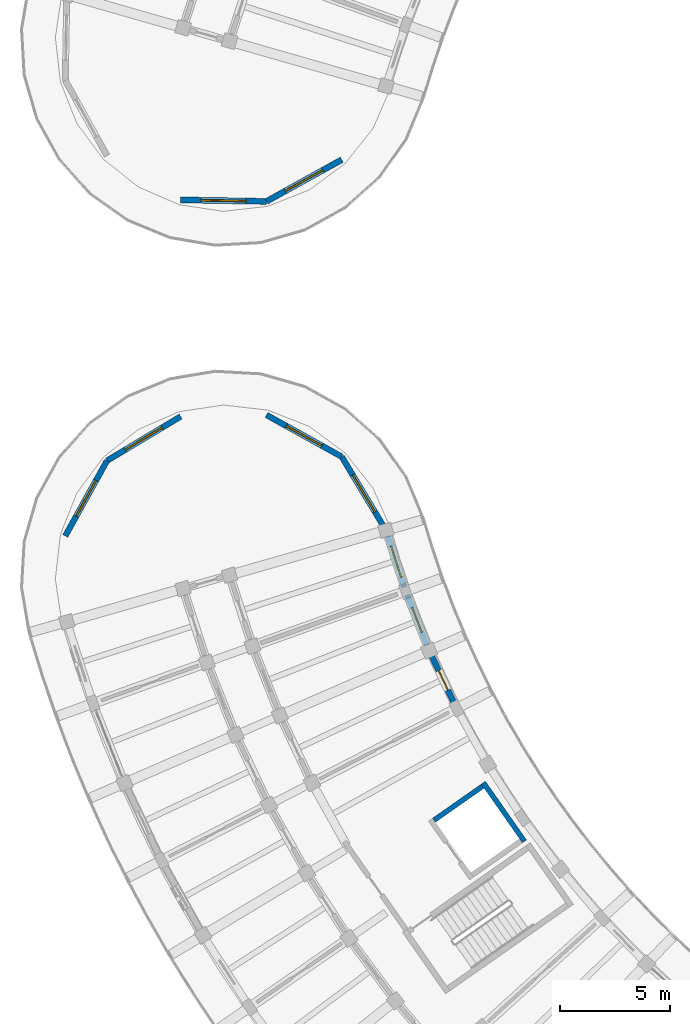
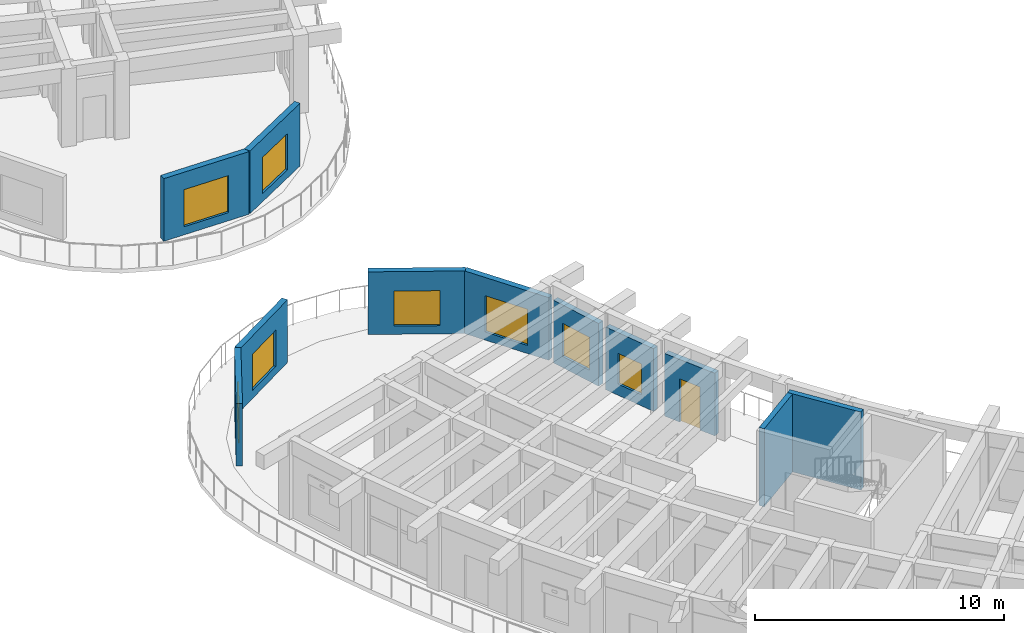
# One storey, part 84 of 128: 11 walls, 8 windows, 1 door, 9 openings.
"""IFC4 building model written with IfcOpenShell, lengths in metres."""

import ifcopenshell
import ifcopenshell.guid

model = None  # the IFC model being written
_history = None  # IfcOwnerHistory: only IFC2X3 demands one
_inside = {}  # id of a spatial element -> (the spatial element, [elements in it])
_under = {}  # id of a project, library or spatial element -> (it, [spatial elements below it])
_declared = {}  # id of a project -> (the project, [libraries it declares])
_typed = {}  # id of a type object -> (the type object, [elements of that type])
_made_of = {}  # id of a material, layer set ... -> (it, [elements and type objects made of it])


def new_model(schema):
    """Start an empty IFC model of exactly this schema.

    Asked for "IFC4X3", IfcOpenShell would pick the latest addendum, in which some entities
    have other attributes; the version numbers below select the first issue.
    IFC2X3 requires an IfcOwnerHistory on every rooted entity: one is made here for all.
    """
    global model, _history
    if schema == "IFC4X3":
        model = ifcopenshell.file(schema_version=(4, 3, 0, 0))
    else:
        model = ifcopenshell.file(schema=schema)
    _inside.clear()
    _under.clear()
    _declared.clear()
    _typed.clear()
    _made_of.clear()
    _history = None
    if model.schema == "IFC2X3":
        org = make("IfcOrganization", Name="unknown")
        user = make(
            "IfcPersonAndOrganization",
            ThePerson=make("IfcPerson", FamilyName="unknown"),
            TheOrganization=org,
        )
        app = make(
            "IfcApplication",
            ApplicationDeveloper=org,
            Version="unknown",
            ApplicationFullName="unknown",
            ApplicationIdentifier="unknown",
        )
        _history = make(
            "IfcOwnerHistory",
            OwningUser=user,
            OwningApplication=app,
            ChangeAction="ADDED",
            CreationDate=0,
        )
    return model


def make(cls, **values):
    """One entity of the class cls with the attributes given. An attribute that is None is left unset."""
    return model.create_entity(
        cls, **{name: value for name, value in values.items() if value is not None}
    )


def rooted(cls, **values):
    """An entity with a GlobalId (a new one), such as an element, a storey or a relation."""
    return make(cls, GlobalId=ifcopenshell.guid.new(), OwnerHistory=_history, **values)


def si_unit(unit_type, name, prefix=None):
    """IfcSIUnit, for example si_unit("LENGTHUNIT", "METRE", prefix="MILLI")."""
    return make("IfcSIUnit", UnitType=unit_type, Prefix=prefix, Name=name)


def assignment(units):
    """IfcUnitAssignment: the units of a project."""
    return None if units is None else make("IfcUnitAssignment", Units=units)


def point(xyz):
    """IfcCartesianPoint."""
    return None if xyz is None else make("IfcCartesianPoint", Coordinates=xyz)


def direction(xyz):
    """IfcDirection."""
    return None if xyz is None else make("IfcDirection", DirectionRatios=xyz)


def frame(location, z_axis=None, x_axis=None):
    """IfcAxis2Placement3D, a coordinate frame: its origin and axes. An axis left out is left unset."""
    return make(
        "IfcAxis2Placement3D",
        Location=point(location),
        Axis=direction(z_axis),
        RefDirection=direction(x_axis),
    )


def frame_2d(location, x_axis=None):
    """IfcAxis2Placement2D, a coordinate frame in the plane: its origin and x axis."""
    return make(
        "IfcAxis2Placement2D", Location=point(location), RefDirection=direction(x_axis)
    )


def origin():
    """The frame at (0, 0, 0) with its axes left unset."""
    return frame((0.0, 0.0, 0.0))


def place(relative_to, where):
    """IfcLocalPlacement: puts the frame where relative to a parent placement (None: the world)."""
    return make(
        "IfcLocalPlacement", PlacementRelTo=relative_to, RelativePlacement=where
    )


def context(
    kind, dimensions, precision=None, world=None, true_north=None, identifier=None
):
    """IfcGeometricRepresentationContext, for example the 3D "Model" context."""
    return make(
        "IfcGeometricRepresentationContext",
        ContextIdentifier=identifier,
        ContextType=kind,
        CoordinateSpaceDimension=dimensions,
        Precision=precision,
        WorldCoordinateSystem=world,
        TrueNorth=true_north,
    )


def subcontext(parent, identifier, kind, view, scale=None):
    """IfcGeometricRepresentationSubContext, for example "Body" below "Model"."""
    return make(
        "IfcGeometricRepresentationSubContext",
        ContextIdentifier=identifier,
        ContextType=kind,
        ParentContext=parent,
        TargetScale=scale,
        TargetView=view,
    )


def project(units=None, contexts=None):
    """IfcProject with its units and contexts."""
    return rooted(
        "IfcProject",
        Name="project",
        RepresentationContexts=contexts,
        UnitsInContext=assignment(units),
    )


def spatial(cls, under=None, at=None, **own):
    """A site, building, storey or space (cls), placed at a placement, below another one or the project."""
    s = rooted(cls, ObjectPlacement=at, **own)
    if under is not None:
        _under.setdefault(under.id(), (under, []))[1].append(s)
    return s


def profile(cls, at=None, kind="AREA", **sizes):
    """A parametric profile (cls). Its sizes go by their IFC names, for example OverallWidth=200.0."""
    return make(cls, ProfileType=kind, Position=at, **sizes)


def rectangle(**sizes):
    """IfcRectangleProfileDef."""
    return profile("IfcRectangleProfileDef", **sizes)


def extrude(swept, where, along, depth):
    """IfcExtrudedAreaSolid: the profile swept, set in the frame where, extruded along a direction by depth."""
    return make(
        "IfcExtrudedAreaSolid",
        SweptArea=swept,
        Position=where,
        ExtrudedDirection=direction(along),
        Depth=depth,
    )


def shape(context_of_items, identifier, shape_type, items):
    """IfcShapeRepresentation: the items that make up one representation, for example the "Body"."""
    return make(
        "IfcShapeRepresentation",
        ContextOfItems=context_of_items,
        RepresentationIdentifier=identifier,
        RepresentationType=shape_type,
        Items=items,
    )


def material(Name=None, Category=None):
    """IfcMaterial."""
    return make("IfcMaterial", Name=Name, Category=Category)


def layer(
    of_material, thickness, ventilated=None, Name=None, Category=None, Priority=None
):
    """IfcMaterialLayer: one layer of a wall or slab, of a material (None: an air gap)."""
    return make(
        "IfcMaterialLayer",
        Material=of_material,
        LayerThickness=thickness,
        IsVentilated=ventilated,
        Name=Name,
        Category=Category,
        Priority=Priority,
    )


def layer_set(layers, Name=None):
    """IfcMaterialLayerSet."""
    return make("IfcMaterialLayerSet", MaterialLayers=layers, LayerSetName=Name)


def made_of(thing, what):
    """Note that an element or type object is made of a material, layer set ...; save() writes the relation."""
    if what is not None:
        _made_of.setdefault(what.id(), (what, []))[1].append(thing)
    return thing


def type_object(cls, material=None, **own):
    """A type object (cls), such as IfcWallType, which elements share."""
    return made_of(rooted(cls, **own), material)


def element(
    cls,
    number,
    at=None,
    inside=None,
    cuts=None,
    type_object=None,
    material=None,
    context=None,
    identifier="Body",
    shape_type=None,
    held_by="IfcProductDefinitionShape",
    body=None,
    shapes=None,
    **own,
):
    """One element of the class cls, such as IfcWall. Its Tag is "e" and its number.

    at: its placement. inside: the storey or other place that contains it. cuts: it is an
    opening in that element (IfcRelVoidsElement). A single representation is given by context,
    identifier, shape_type and body (its items); several are given by shapes. held_by: the class
    of the entity that holds the representations. save() writes the other relations.
    """
    e = rooted(cls, Tag="e%d" % number, ObjectPlacement=at, **own)
    if body is not None:
        shapes = [shape(context, identifier, shape_type, body)]
    if shapes is not None:
        e.Representation = make(held_by, Representations=shapes)
    if inside is not None:
        _inside.setdefault(inside.id(), (inside, []))[1].append(e)
    if cuts is not None:
        rooted(
            "IfcRelVoidsElement", RelatingBuildingElement=cuts, RelatedOpeningElement=e
        )
    if type_object is not None:
        _typed.setdefault(type_object.id(), (type_object, []))[1].append(e)
    return made_of(e, material)


def fill(opening, filler):
    """IfcRelFillsElement: the door or window that sits in an opening."""
    return rooted(
        "IfcRelFillsElement",
        RelatingOpeningElement=opening,
        RelatedBuildingElement=filler,
    )


def aggregate(whole, parts):
    """IfcRelAggregates: a whole, such as a stair, and the parts it consists of."""
    return rooted("IfcRelAggregates", RelatingObject=whole, RelatedObjects=parts)


def save(model, path):
    """Write the relations noted so far, then the file.

    IfcRelAggregates (storeys below a building ...), IfcRelContainedInSpatialStructure (elements
    in a storey), IfcRelDefinesByType, IfcRelAssociatesMaterial and IfcRelDeclares: one each for
    every whole, place, type object, material and project.
    """
    for whole, parts in _under.values():
        aggregate(whole, parts)
    for where, things in _inside.values():
        rooted(
            "IfcRelContainedInSpatialStructure",
            RelatedElements=things,
            RelatingStructure=where,
        )
    for kind, things in _typed.values():
        rooted("IfcRelDefinesByType", RelatedObjects=things, RelatingType=kind)
    for what, things in _made_of.values():
        rooted("IfcRelAssociatesMaterial", RelatedObjects=things, RelatingMaterial=what)
    for by, libraries in _declared.values():
        rooted("IfcRelDeclares", RelatingContext=by, RelatedDefinitions=libraries)
    model.write(path)


model = new_model("IFC4")

# Units and contexts
model_context = context("Model", 3, precision=1e-05, world=origin(), true_north=direction((0.0, 1.0)))
body_context = subcontext(model_context, "Body", "Model", "MODEL_VIEW")
ifc_project = project(units=[si_unit("LENGTHUNIT", "METRE"), si_unit("AREAUNIT", "SQUARE_METRE"), si_unit("VOLUMEUNIT", "CUBIC_METRE"), si_unit("PLANEANGLEUNIT", "RADIAN"), si_unit("MASSUNIT", "GRAM", prefix="KILO")], contexts=[model_context])

# Site, building, storey
site_placement = place(None, origin())
site = spatial("IfcSite", under=ifc_project, at=site_placement, CompositionType="ELEMENT")
building_placement = place(site_placement, origin())
building = spatial("IfcBuilding", under=site, at=building_placement, Name="Tanwirah Colonnade Gardens", CompositionType="ELEMENT")
storey_placement = place(building_placement, frame((0.0, 0.0, 4.760009765625)))
storey = spatial("IfcBuildingStorey", under=building, at=storey_placement, Name="L01", CompositionType="ELEMENT", Elevation=4.760009765625)

# Wall, opening, window
ifc_material_1 = material(Name="Limestone architectural precast concrete C40/50", Category="masonry")
ifc_layer_1 = layer(ifc_material_1, 0.260009765625)
ifc_layer_set_1 = layer_set([ifc_layer_1], Name="Limestone architectural precast concrete C40/50")
wall_type_1 = type_object("IfcWallType", Name="EW-PC260", PredefinedType="SOLIDWALL", material=ifc_layer_set_1)
wall_1_placement = place(storey_placement, frame((22.3564453125, 51.986083984375, 0.0), z_axis=(0.0, 0.0, 1.0), x_axis=(0.306909552229, -0.951738686169, 0.0)))
wall_1 = element("IfcWall", 1, at=wall_1_placement, inside=storey, type_object=wall_type_1, Name="Block C L01 IN Precast Facade Wall 0", PredefinedType="SOLIDWALL", context=body_context, shape_type="SweptSolid", body=[
    extrude(rectangle(XDim=2.448486328125, YDim=0.260009765625, at=frame_2d((1.22412109375, 0.0))), origin(), (0.0, 0.0, 1.0), 3.074951171875),
])
opening_1_placement = place(wall_1_placement, frame((0.484375, 0.0, 0.550048828125)))
opening_1 = element("IfcOpeningElement", 2, at=opening_1_placement, cuts=wall_1, Name="Opening WIN-T19", PredefinedType="OPENING", context=body_context, shape_type="SweptSolid", body=[
    extrude(rectangle(XDim=1.47998046875, YDim=1.6201171875, at=frame_2d((0.739990234375, 0.81005859375))), frame((0.0, 0.139892578125, 0.0), z_axis=(0.0, -1.0, 0.0), x_axis=(1.0, 0.0, 0.0)), (0.0, 0.0, 1.0), 0.280029296875),
])
ifc_material_2 = material(Name="Thermally broken bronze aluminium and solar low-E double glazing", Category="aluminium")
window_type_1 = type_object("IfcWindowType", Name="WIN-T19", PartitioningType="DOUBLE_PANEL_VERTICAL", PredefinedType="WINDOW", material=ifc_material_2)
window_1_placement = place(opening_1_placement, origin())
window_1 = element("IfcWindow", 3, at=window_1_placement, inside=storey, type_object=window_type_1, Name="Facade window C-L01-IN-00", OverallHeight=1.6201171875, OverallWidth=1.47998046875, PartitioningType="SINGLE_PANEL", PredefinedType="WINDOW", context=body_context, shape_type="SweptSolid", body=[
    extrude(rectangle(XDim=1.47998046875, YDim=1.6201171875, at=frame_2d((0.739990234375, 0.81005859375))), frame((0.0, 0.030029296875, 0.0), z_axis=(0.0, -1.0, 0.0), x_axis=(1.0, 0.0, 0.0)), (0.0, 0.0, 1.0), 0.06005859375),
])
fill(opening_1, window_1)

wall_2_placement = place(storey_placement, frame((23.23291015625, 49.3076171875, 0.0), z_axis=(0.0, 0.0, 1.0), x_axis=(0.368500941406, -0.92962737491, 0.0)))
wall_2 = element("IfcWall", 4, at=wall_2_placement, inside=storey, type_object=wall_type_1, Name="Block C L01 IN Precast Facade Wall 1", PredefinedType="SOLIDWALL", context=body_context, shape_type="SweptSolid", body=[
    extrude(rectangle(XDim=2.44873046875, YDim=0.260009765625, at=frame_2d((1.224365234375, 0.0))), origin(), (0.0, 0.0, 1.0), 3.074951171875),
])
opening_2_placement = place(wall_2_placement, frame((0.62451171875, 0.0, 0.550048828125)))
opening_2 = element("IfcOpeningElement", 5, at=opening_2_placement, cuts=wall_2, Name="Opening WIN-U02", PredefinedType="OPENING", context=body_context, shape_type="SweptSolid", body=[
    extrude(rectangle(XDim=1.199951171875, YDim=1.510009765625, at=frame_2d((0.60009765625, 0.7548828125))), frame((0.0, 0.139892578125, 0.0), z_axis=(0.0, -1.0, 0.0), x_axis=(1.0, 0.0, 0.0)), (0.0, 0.0, 1.0), 0.280029296875),
])
window_type_2 = type_object("IfcWindowType", Name="WIN-U02", PartitioningType="DOUBLE_PANEL_VERTICAL", PredefinedType="WINDOW", material=ifc_material_2)
window_2_placement = place(opening_2_placement, origin())
window_2 = element("IfcWindow", 6, at=window_2_placement, inside=storey, type_object=window_type_2, Name="Facade window C-L01-IN-01", OverallHeight=1.510009765625, OverallWidth=1.199951171875, PartitioningType="SINGLE_PANEL", PredefinedType="WINDOW", context=body_context, shape_type="SweptSolid", body=[
    extrude(rectangle(XDim=1.199951171875, YDim=1.510009765625, at=frame_2d((0.60009765625, 0.7548828125))), frame((0.0, 0.030029296875, 0.0), z_axis=(0.0, -1.0, 0.0), x_axis=(1.0, 0.0, 0.0)), (0.0, 0.0, 1.0), 0.06005859375),
])
fill(opening_2, window_2)

# Wall, opening, door
wall_3_placement = place(storey_placement, frame((24.3544921875, 46.527099609375, 0.0), z_axis=(0.0, 0.0, 1.0), x_axis=(0.42853203261, -0.903526588998, 0.0)))
wall_3 = element("IfcWall", 7, at=wall_3_placement, inside=storey, type_object=wall_type_1, Name="Block C L01 IN Precast Facade Wall 2", PredefinedType="SOLIDWALL", context=body_context, shape_type="SweptSolid", body=[
    extrude(rectangle(XDim=2.44873046875, YDim=0.260009765625, at=frame_2d((1.224365234375, 0.0))), origin(), (0.0, 0.0, 1.0), 3.074951171875),
])
opening_3_placement = place(wall_3_placement, frame((0.734375, 0.0, 0.0)))
opening_3 = element("IfcOpeningElement", 8, at=opening_3_placement, cuts=wall_3, Name="Opening L01-ED128", PredefinedType="OPENING", context=body_context, shape_type="SweptSolid", body=[
    extrude(rectangle(XDim=0.97998046875, YDim=2.1201171875, at=frame_2d((0.489990234375, 1.06005859375))), frame((0.0, 0.139892578125, 0.0), z_axis=(0.0, -1.0, 0.0), x_axis=(1.0, 0.0, 0.0)), (0.0, 0.0, 1.0), 0.280029296875),
])
ifc_material_3 = material(Name="Bronze aluminium glazed balcony door", Category="aluminium")
door_type = type_object("IfcDoorType", Name="ED-BAL098", OperationType="NOTDEFINED", PredefinedType="DOOR", material=ifc_material_3)
door_placement = place(opening_3_placement, origin())
door = element("IfcDoor", 9, at=door_placement, inside=storey, type_object=door_type, Name="Balcony glazed door L01-ED128", OperationType="SINGLE_SWING_RIGHT", OverallHeight=2.1201171875, OverallWidth=0.97998046875, PredefinedType="DOOR", context=body_context, shape_type="SweptSolid", body=[
    extrude(rectangle(XDim=0.97998046875, YDim=2.1201171875, at=frame_2d((0.489990234375, 1.06005859375))), frame((0.0, 0.02490234375, 0.0), z_axis=(0.0, -1.0, 0.0), x_axis=(1.0, 0.0, 0.0)), (0.0, 0.0, 1.0), 0.050048828125),
])
fill(opening_3, door)

# Wall, opening, window
wall_4_placement = place(storey_placement, frame((7.688720703125, 51.993408203125, 0.0), z_axis=(0.0, 0.0, 1.0), x_axis=(0.48481530532, 0.874616555828, 0.0)))
wall_4 = element("IfcWall", 10, at=wall_4_placement, inside=storey, type_object=wall_type_1, Name="Block C L01 START Rounded End Wall 1", PredefinedType="SOLIDWALL", context=body_context, shape_type="SweptSolid", body=[
    extrude(rectangle(XDim=3.908203125, YDim=0.260009765625, at=frame_2d((1.9541015625, 0.0))), origin(), (0.0, 0.0, 1.0), 3.074951171875),
])
opening_4_placement = place(wall_4_placement, frame((1.029052734375, 0.0, 0.39990234375)))
opening_4 = element("IfcOpeningElement", 11, at=opening_4_placement, cuts=wall_4, Name="Opening WIN-END1", PredefinedType="OPENING", context=body_context, shape_type="SweptSolid", body=[
    extrude(rectangle(XDim=1.85009765625, YDim=1.719970703125, at=frame_2d((0.925048828125, 0.85986328125))), frame((0.0, 0.139892578125, 0.0), z_axis=(0.0, -1.0, 0.0), x_axis=(1.0, 0.0, 0.0)), (0.0, 0.0, 1.0), 0.280029296875),
])
window_type_3 = type_object("IfcWindowType", Name="WIN-END1", PartitioningType="TRIPLE_PANEL_VERTICAL", PredefinedType="WINDOW", material=ifc_material_2)
window_3_placement = place(opening_4_placement, origin())
window_3 = element("IfcWindow", 12, at=window_3_placement, inside=storey, type_object=window_type_3, Name="Rounded corner window C-L01-START-1", OverallHeight=1.719970703125, OverallWidth=1.85009765625, PartitioningType="SINGLE_PANEL", PredefinedType="WINDOW", context=body_context, shape_type="SweptSolid", body=[
    extrude(rectangle(XDim=1.85009765625, YDim=1.719970703125, at=frame_2d((0.925048828125, 0.85986328125))), frame((0.0, 0.030029296875, 0.0), z_axis=(0.0, -1.0, 0.0), x_axis=(1.0, 0.0, 0.0)), (0.0, 0.0, 1.0), 0.06005859375),
])
fill(opening_4, window_3)

wall_5_placement = place(storey_placement, frame((9.58349609375, 55.41162109375, 0.0), z_axis=(0.0, 0.0, 1.0), x_axis=(0.857178568309, 0.515019321998, 0.0)))
wall_5 = element("IfcWall", 13, at=wall_5_placement, inside=storey, type_object=wall_type_1, Name="Block C L01 START Rounded End Wall 2", PredefinedType="SOLIDWALL", context=body_context, shape_type="SweptSolid", body=[
    extrude(rectangle(XDim=3.907958984375, YDim=0.260009765625, at=frame_2d((1.9541015625, 0.0))), origin(), (0.0, 0.0, 1.0), 3.074951171875),
])
opening_5_placement = place(wall_5_placement, frame((0.97900390625, 0.0, 0.39990234375)))
opening_5 = element("IfcOpeningElement", 14, at=opening_5_placement, cuts=wall_5, Name="Opening WIN-END2", PredefinedType="OPENING", context=body_context, shape_type="SweptSolid", body=[
    extrude(rectangle(XDim=1.949951171875, YDim=1.780029296875, at=frame_2d((0.97509765625, 0.89013671875))), frame((0.0, 0.139892578125, 0.0), z_axis=(0.0, -1.0, 0.0), x_axis=(1.0, 0.0, 0.0)), (0.0, 0.0, 1.0), 0.280029296875),
])
window_type_4 = type_object("IfcWindowType", Name="WIN-END2", PartitioningType="TRIPLE_PANEL_VERTICAL", PredefinedType="WINDOW", material=ifc_material_2)
window_4_placement = place(opening_5_placement, origin())
window_4 = element("IfcWindow", 15, at=window_4_placement, inside=storey, type_object=window_type_4, Name="Rounded corner window C-L01-START-2", OverallHeight=1.780029296875, OverallWidth=1.949951171875, PartitioningType="SINGLE_PANEL", PredefinedType="WINDOW", context=body_context, shape_type="SweptSolid", body=[
    extrude(rectangle(XDim=1.949951171875, YDim=1.780029296875, at=frame_2d((0.97509765625, 0.89013671875))), frame((0.0, 0.030029296875, 0.0), z_axis=(0.0, -1.0, 0.0), x_axis=(1.0, 0.0, 0.0)), (0.0, 0.0, 1.0), 0.06005859375),
])
fill(opening_5, window_4)

wall_6_placement = place(storey_placement, frame((16.8408203125, 57.49267578125, 0.0), z_axis=(0.0, 0.0, 1.0), x_axis=(0.874616555828, -0.48481530532, 0.0)))
wall_6 = element("IfcWall", 16, at=wall_6_placement, inside=storey, type_object=wall_type_1, Name="Block C L01 START Rounded End Wall 4", PredefinedType="SOLIDWALL", context=body_context, shape_type="SweptSolid", body=[
    extrude(rectangle(XDim=3.908203125, YDim=0.260009765625, at=frame_2d((1.9541015625, 0.0))), origin(), (0.0, 0.0, 1.0), 3.074951171875),
])
opening_6_placement = place(wall_6_placement, frame((1.029052734375, 0.0, 0.39990234375)))
opening_6 = element("IfcOpeningElement", 17, at=opening_6_placement, cuts=wall_6, Name="Opening WIN-END1", PredefinedType="OPENING", context=body_context, shape_type="SweptSolid", body=[
    extrude(rectangle(XDim=1.85009765625, YDim=1.719970703125, at=frame_2d((0.925048828125, 0.85986328125))), frame((0.0, 0.139892578125, 0.0), z_axis=(0.0, -1.0, 0.0), x_axis=(1.0, 0.0, 0.0)), (0.0, 0.0, 1.0), 0.280029296875),
])
window_5_placement = place(opening_6_placement, origin())
window_5 = element("IfcWindow", 18, at=window_5_placement, inside=storey, type_object=window_type_3, Name="Rounded corner window C-L01-START-4", OverallHeight=1.719970703125, OverallWidth=1.85009765625, PartitioningType="SINGLE_PANEL", PredefinedType="WINDOW", context=body_context, shape_type="SweptSolid", body=[
    extrude(rectangle(XDim=1.85009765625, YDim=1.719970703125, at=frame_2d((0.925048828125, 0.85986328125))), frame((0.0, 0.030029296875, 0.0), z_axis=(0.0, -1.0, 0.0), x_axis=(1.0, 0.0, 0.0)), (0.0, 0.0, 1.0), 0.06005859375),
])
fill(opening_6, window_5)

wall_7_placement = place(storey_placement, frame((20.259033203125, 55.597900390625, 0.0), z_axis=(0.0, 0.0, 1.0), x_axis=(0.515037642827, -0.857167560324, 0.0)))
wall_7 = element("IfcWall", 19, at=wall_7_placement, inside=storey, type_object=wall_type_1, Name="Block C L01 START Rounded End Wall 5", PredefinedType="SOLIDWALL", context=body_context, shape_type="SweptSolid", body=[
    extrude(rectangle(XDim=3.908447265625, YDim=0.260009765625, at=frame_2d((1.9541015625, 0.0))), origin(), (0.0, 0.0, 1.0), 3.074951171875),
])
opening_7_placement = place(wall_7_placement, frame((0.97900390625, 0.0, 0.39990234375)))
opening_7 = element("IfcOpeningElement", 20, at=opening_7_placement, cuts=wall_7, Name="Opening WIN-END2", PredefinedType="OPENING", context=body_context, shape_type="SweptSolid", body=[
    extrude(rectangle(XDim=1.949951171875, YDim=1.780029296875, at=frame_2d((0.97509765625, 0.89013671875))), frame((0.0, 0.139892578125, 0.0), z_axis=(0.0, -1.0, 0.0), x_axis=(1.0, 0.0, 0.0)), (0.0, 0.0, 1.0), 0.280029296875),
])
window_6_placement = place(opening_7_placement, origin())
window_6 = element("IfcWindow", 21, at=window_6_placement, inside=storey, type_object=window_type_4, Name="Rounded corner window C-L01-START-5", OverallHeight=1.780029296875, OverallWidth=1.949951171875, PartitioningType="SINGLE_PANEL", PredefinedType="WINDOW", context=body_context, shape_type="SweptSolid", body=[
    extrude(rectangle(XDim=1.949951171875, YDim=1.780029296875, at=frame_2d((0.97509765625, 0.89013671875))), frame((0.0, 0.030029296875, 0.0), z_axis=(0.0, -1.0, 0.0), x_axis=(1.0, 0.0, 0.0)), (0.0, 0.0, 1.0), 0.06005859375),
])
fill(opening_7, window_6)

ifc_layer_2 = layer(ifc_material_1, 0.27001953125)
ifc_layer_set_2 = layer_set([ifc_layer_2], Name="Limestone architectural precast concrete C40/50")
wall_type_2 = type_object("IfcWallType", Name="EW-PC270", PredefinedType="SOLIDWALL", material=ifc_layer_set_2)
wall_8_placement = place(storey_placement, frame((20.259033203125, 69.10205078125, 0.0), z_axis=(0.0, 0.0, 1.0), x_axis=(-0.874643043537, -0.484767517881, 0.0)))
wall_8 = element("IfcWall", 22, at=wall_8_placement, inside=storey, type_object=wall_type_2, Name="Block A L01 END Rounded End Wall 1", PredefinedType="SOLIDWALL", context=body_context, shape_type="SweptSolid", body=[
    extrude(rectangle(XDim=3.908203125, YDim=0.27001953125, at=frame_2d((1.9541015625, 0.0))), origin(), (0.0, 0.0, 1.0), 3.074951171875),
])
opening_8_placement = place(wall_8_placement, frame((0.97900390625, 0.0, 0.39990234375)))
opening_8 = element("IfcOpeningElement", 23, at=opening_8_placement, cuts=wall_8, Name="Opening WIN-END2", PredefinedType="OPENING", context=body_context, shape_type="SweptSolid", body=[
    extrude(rectangle(XDim=1.949951171875, YDim=1.780029296875, at=frame_2d((0.97509765625, 0.89013671875))), frame((0.0, 0.14501953125, 0.0), z_axis=(0.0, -1.0, 0.0), x_axis=(1.0, 0.0, 0.0)), (0.0, 0.0, 1.0), 0.2900390625),
])
window_7_placement = place(opening_8_placement, origin())
window_7 = element("IfcWindow", 24, at=window_7_placement, inside=storey, type_object=window_type_4, Name="Rounded corner window A-L01-END-1", OverallHeight=1.780029296875, OverallWidth=1.949951171875, PartitioningType="SINGLE_PANEL", PredefinedType="WINDOW", context=body_context, shape_type="SweptSolid", body=[
    extrude(rectangle(XDim=1.949951171875, YDim=1.780029296875, at=frame_2d((0.97509765625, 0.89013671875))), frame((0.0, 0.030029296875, 0.0), z_axis=(0.0, -1.0, 0.0), x_axis=(1.0, 0.0, 0.0)), (0.0, 0.0, 1.0), 0.06005859375),
])
fill(opening_8, window_7)

wall_9_placement = place(storey_placement, frame((16.8408203125, 67.20751953125, 0.0), z_axis=(0.0, 0.0, 1.0), x_axis=(-0.999848096392, 0.017429404492, 0.0)))
wall_9 = element("IfcWall", 25, at=wall_9_placement, inside=storey, type_object=wall_type_2, Name="Block A L01 END Rounded End Wall 2", PredefinedType="SOLIDWALL", context=body_context, shape_type="SweptSolid", body=[
    extrude(rectangle(XDim=3.907958984375, YDim=0.27001953125, at=frame_2d((1.9541015625, 0.0))), origin(), (0.0, 0.0, 1.0), 3.074951171875),
])
opening_9_placement = place(wall_9_placement, frame((0.92919921875, 0.0, 0.39990234375)))
opening_9 = element("IfcOpeningElement", 26, at=opening_9_placement, cuts=wall_9, Name="Opening WIN-END3", PredefinedType="OPENING", context=body_context, shape_type="SweptSolid", body=[
    extrude(rectangle(XDim=2.050048828125, YDim=1.820068359375, at=frame_2d((1.02490234375, 0.91015625))), frame((0.0, 0.14501953125, 0.0), z_axis=(0.0, -1.0, 0.0), x_axis=(1.0, 0.0, 0.0)), (0.0, 0.0, 1.0), 0.2900390625),
])
window_type_5 = type_object("IfcWindowType", Name="WIN-END3", PartitioningType="TRIPLE_PANEL_VERTICAL", PredefinedType="WINDOW", material=ifc_material_2)
window_8_placement = place(opening_9_placement, origin())
window_8 = element("IfcWindow", 27, at=window_8_placement, inside=storey, type_object=window_type_5, Name="Rounded corner window A-L01-END-2", OverallHeight=1.820068359375, OverallWidth=2.050048828125, PartitioningType="SINGLE_PANEL", PredefinedType="WINDOW", context=body_context, shape_type="SweptSolid", body=[
    extrude(rectangle(XDim=2.050048828125, YDim=1.820068359375, at=frame_2d((1.02490234375, 0.91015625))), frame((0.0, 0.030029296875, 0.0), z_axis=(0.0, -1.0, 0.0), x_axis=(1.0, 0.0, 0.0)), (0.0, 0.0, 1.0), 0.06005859375),
])
fill(opening_9, window_8)

# Walls
ifc_material_4 = material(Name="Concrete C45/55", Category="concrete")
ifc_layer_3 = layer(ifc_material_4, 0.22998046875)
ifc_layer_set_3 = layer_set([ifc_layer_3], Name="Concrete C45/55")
wall_type_3 = type_object("IfcWallType", Name="SW-LIFT230", PredefinedType="SHEAR", material=ifc_layer_set_3)
wall_10_placement = place(storey_placement, frame((28.569091796875, 38.099609375, 0.0), z_axis=(0.0, 0.0, 1.0), x_axis=(-0.573582966431, 0.819147471839, 0.0)))
element("IfcWall", 28, at=wall_10_placement, inside=storey, type_object=wall_type_3, Name="CORE-C1 L01 Lift Shaft Wall BACK", PredefinedType="SHEAR", context=body_context, shape_type="SweptSolid", body=[
    extrude(rectangle(XDim=3.260009765625, YDim=0.22998046875, at=frame_2d((1.6298828125, 0.0))), origin(), (0.0, 0.0, 1.0), 3.830078125),
])
wall_11_placement = place(storey_placement, frame((24.459228515625, 39.061279296875, 0.0), z_axis=(0.0, 0.0, 1.0), x_axis=(0.819189439894, 0.573523026186, 0.0)))
element("IfcWall", 29, at=wall_11_placement, inside=storey, type_object=wall_type_3, Name="CORE-C1 L01 Lift Shaft Wall SIDEB", PredefinedType="SHEAR", context=body_context, shape_type="SweptSolid", body=[
    extrude(rectangle(XDim=2.7001953125, YDim=0.22998046875, at=frame_2d((1.35009765625, 0.0))), origin(), (0.0, 0.0, 1.0), 3.830078125),
])

save(model, "model.ifc")
